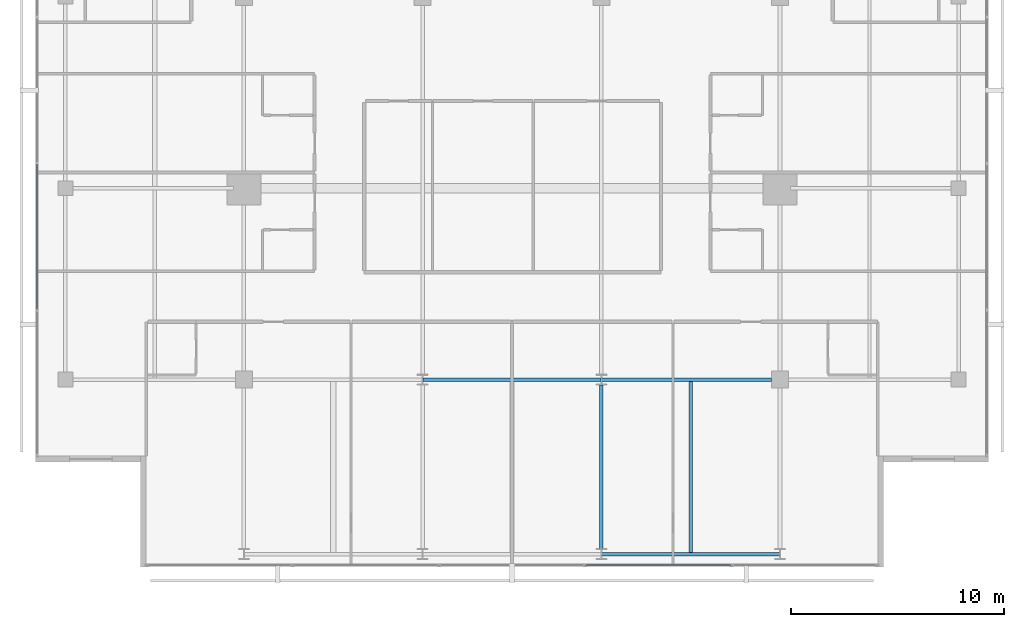
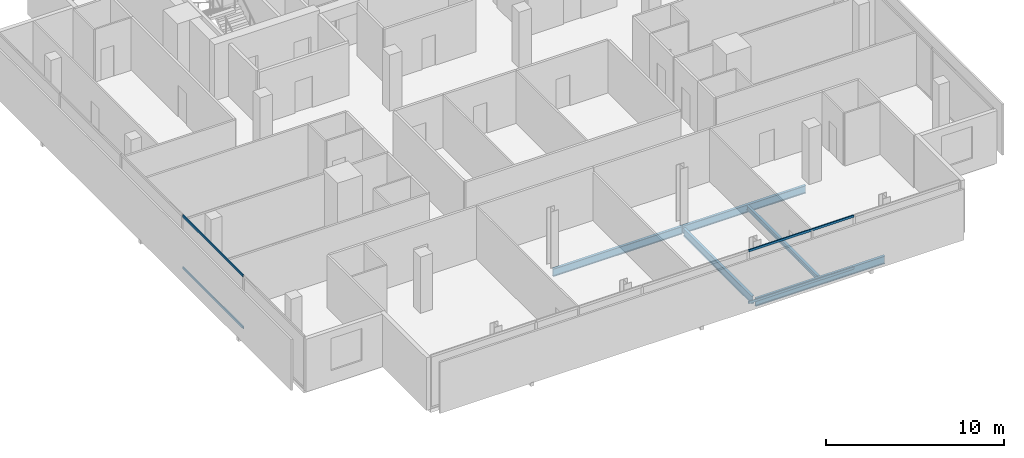
# One storey, part 7 of 25: 5 beams, 4 members, 2 elements without a shape of their own.
"""IFC4 building model written with IfcOpenShell, lengths in metres."""

from ifc_helpers import new_model, si_unit, direction, frame, origin, origin_2d, place, context, subcontext, project, spatial, hollow_rectangle, i_section, extrude, material, layer, layer_set, material_profile, profile_set, type_object, element, aggregate, save


model = new_model("IFC4")

# Units and contexts
model_context = context("Model", 3, precision=1e-05, world=origin(), true_north=direction((0.0, 1.0)))
body_context = subcontext(model_context, "Body", "Model", "MODEL_VIEW")
ifc_project = project(units=[si_unit("LENGTHUNIT", "METRE"), si_unit("AREAUNIT", "SQUARE_METRE"), si_unit("VOLUMEUNIT", "CUBIC_METRE"), si_unit("PLANEANGLEUNIT", "RADIAN"), si_unit("MASSUNIT", "GRAM", prefix="KILO")], contexts=[model_context])

# Site, building, storey
site_placement = place(None, origin())
site = spatial("IfcSite", under=ifc_project, at=site_placement, CompositionType="ELEMENT")
building_placement = place(site_placement, origin())
building = spatial("IfcBuilding", under=site, at=building_placement, Name="Maruvema Waterfront Hotel and Observation Tower", CompositionType="ELEMENT")
storey_placement = place(building_placement, frame((0.0, 0.0, 281.75)))
storey = spatial("IfcBuildingStorey", under=building, at=storey_placement, Name="L69", CompositionType="ELEMENT", Elevation=281.75)

# Curtain wall, members
ifc_material_1 = material(Name="Anodised bronze aluminium and solar-control low-E IGU", Category="aluminium")
ifc_layer = layer(ifc_material_1, 0.159912109375, Name="Zone 3 Champagne Inner Thermal Curtain Wall System CW-04")
ifc_layer_set = layer_set([ifc_layer], Name="Anodised bronze aluminium and solar-control low-E IGU")
curtain_wall_type = type_object("IfcCurtainWallType", Name="Zone 3 Champagne Inner Thermal Curtain Wall System CW-04", PredefinedType="USERDEFINED", material=ifc_layer_set)
curtain_wall_1_placement = place(storey_placement, origin())
curtain_wall_1 = element("IfcCurtainWall", 1, at=curtain_wall_1_placement, inside=storey, type_object=curtain_wall_type, Name="L69 Curtain Wall CW-L69-S", ObjectType="UNITISED CURTAIN WALL", PredefinedType="USERDEFINED")
ifc_material_2 = material(Name="Anodised architectural bronze aluminium", Category="aluminium")
ifc_material_profile_1 = material_profile(ifc_material_2, hollow_rectangle(XDim=0.070068359375, YDim=0.14990234375, WallThickness=0.00390625, at=origin_2d()), Name="ALU-T70x150")
ifc_profile_set_1 = profile_set([ifc_material_profile_1], Name="Anodised architectural bronze aluminium")
member_type = type_object("IfcMemberType", Name="Curtain Wall Horizontal Transom ALU-T70x150", PredefinedType="USERDEFINED", material=ifc_profile_set_1)
member_1_placement = place(storey_placement, frame((41.27001953125, 9.280029296875, 0.030029296875), z_axis=(1.0, 0.0, 0.0), x_axis=(0.0, 1.0, 0.0)))
member_1 = element("IfcMember", 2, at=member_1_placement, type_object=member_type, Name="CW-04 transom 4.1", ObjectType="TRANSOM", PredefinedType="USERDEFINED", context=body_context, shape_type="SweptSolid", body=[
    extrude(hollow_rectangle(XDim=0.070068359375, YDim=0.14990234375, WallThickness=0.00390625, at=origin_2d()), origin(), (0.0, 0.0, 1.0), 6.820068359375),
])
member_2_placement = place(storey_placement, frame((41.27001953125, 9.280029296875, 3.580078125), z_axis=(1.0, 0.0, 0.0), x_axis=(0.0, 1.0, 0.0)))
member_2 = element("IfcMember", 3, at=member_2_placement, type_object=member_type, Name="CW-04 transom 4.2", ObjectType="TRANSOM", PredefinedType="USERDEFINED", context=body_context, shape_type="SweptSolid", body=[
    extrude(hollow_rectangle(XDim=0.070068359375, YDim=0.14990234375, WallThickness=0.00390625, at=origin_2d()), origin(), (0.0, 0.0, 1.0), 6.820068359375),
])
aggregate(curtain_wall_1, [member_1, member_2])

curtain_wall_2_placement = place(storey_placement, origin())
curtain_wall_2 = element("IfcCurtainWall", 4, at=curtain_wall_2_placement, inside=storey, type_object=curtain_wall_type, Name="L69 Curtain Wall CW-L69-W", ObjectType="UNITISED CURTAIN WALL", PredefinedType="USERDEFINED")
member_3_placement = place(storey_placement, frame((15.47998046875, 28.1298828125, 0.030029296875), z_axis=(0.0, -1.0, 0.0), x_axis=(1.0, 0.0, 0.0)))
member_3 = element("IfcMember", 5, at=member_3_placement, type_object=member_type, Name="CW-04 transom 4.1", ObjectType="TRANSOM", PredefinedType="USERDEFINED", context=body_context, shape_type="SweptSolid", body=[
    extrude(hollow_rectangle(XDim=0.070068359375, YDim=0.14990234375, WallThickness=0.00390625, at=origin_2d()), origin(), (0.0, 0.0, 1.0), 6.81982421875),
])
member_4_placement = place(storey_placement, frame((15.47998046875, 28.1298828125, 3.580078125), z_axis=(0.0, -1.0, 0.0), x_axis=(1.0, 0.0, 0.0)))
member_4 = element("IfcMember", 6, at=member_4_placement, type_object=member_type, Name="CW-04 transom 4.2", ObjectType="TRANSOM", PredefinedType="USERDEFINED", context=body_context, shape_type="SweptSolid", body=[
    extrude(hollow_rectangle(XDim=0.070068359375, YDim=0.14990234375, WallThickness=0.00390625, at=origin_2d()), origin(), (0.0, 0.0, 1.0), 6.81982421875),
])
aggregate(curtain_wall_2, [member_3, member_4])

# Beams
ifc_material_3 = material(Name="Steel ASTM A572 Grade 50", Category="steel")
ifc_material_profile_2 = material_profile(ifc_material_3, i_section(OverallWidth=0.166015625, OverallDepth=0.529052734375, WebThickness=0.009765625, FlangeThickness=0.013671875, FilletRadius=0.014892578125, at=origin_2d()), Name="W530x74.0")
ifc_profile_set_2 = profile_set([ifc_material_profile_2], Name="Steel ASTM A572 Grade 50")
beam_type_1 = type_object("IfcBeamType", Name="Primary Floor Girder W530x74.0", PredefinedType="BEAM", material=ifc_profile_set_2)
for number, where, z_axis, x_axis, name in (
    (7, (42.010986328125, 9.800048828125, -0.50439453125), (1.0, 0.0, 0.0), (0.0, 1.0, 0.0), "L69 Floor Girder EW-03"),
    (8, (33.611083984375, 18.0, -0.50439453125), (1.0, 0.0, 0.0), (0.0, 1.0, 0.0), "L69 Floor Girder EW-06"),
):
    element("IfcBeam", number, at=place(storey_placement, frame(where, z_axis=z_axis, x_axis=x_axis)), inside=storey, type_object=beam_type_1, Name=name, PredefinedType="BEAM", context=body_context, shape_type="SweptSolid", body=[
        extrude(i_section(OverallWidth=0.166015625, OverallDepth=0.529052734375, WebThickness=0.009765625, FlangeThickness=0.013671875, FilletRadius=0.014892578125, at=origin_2d()), origin(), (0.0, 0.0, 1.0), 8.3779296875),
    ])
beam_1_placement = place(storey_placement, frame((42.010986328125, 18.0, -0.50439453125), z_axis=(1.0, 0.0, 0.0), x_axis=(0.0, 1.0, 0.0)))
element("IfcBeam", 9, at=beam_1_placement, inside=storey, type_object=beam_type_1, Name="L69 Floor Girder EW-07", PredefinedType="BEAM", context=body_context, shape_type="SweptSolid", body=[
    extrude(i_section(OverallWidth=0.166015625, OverallDepth=0.529052734375, WebThickness=0.009765625, FlangeThickness=0.013671875, FilletRadius=0.014892578125, at=origin_2d()), origin(), (0.0, 0.0, 1.0), 7.989013671875),
])
beam_2_placement = place(storey_placement, frame((42.0, 10.050048828125, -0.50439453125), z_axis=(0.0, 1.0, 0.0), x_axis=(-1.0, 0.0, 0.0)))
element("IfcBeam", 10, at=beam_2_placement, inside=storey, type_object=beam_type_1, Name="L69 Floor Girder NS-10", PredefinedType="BEAM", context=body_context, shape_type="SweptSolid", body=[
    extrude(i_section(OverallWidth=0.166015625, OverallDepth=0.529052734375, WebThickness=0.009765625, FlangeThickness=0.013671875, FilletRadius=0.014892578125, at=origin_2d()), origin(), (0.0, 0.0, 1.0), 7.699951171875),
])
ifc_material_4 = material(Name="Steel ASTM A572 Grade 50", Category="steel")
ifc_material_profile_3 = material_profile(ifc_material_4, i_section(OverallWidth=0.1650390625, OverallDepth=0.31005859375, WebThickness=0.005859375, FlangeThickness=0.009765625, FilletRadius=0.012939453125, at=origin_2d()), Name="W310x38.7")
ifc_profile_set_3 = profile_set([ifc_material_profile_3], Name="Steel ASTM A572 Grade 50")
beam_type_2 = type_object("IfcBeamType", Name="Secondary Floor Joist W310x38.7", PredefinedType="JOIST", material=ifc_profile_set_3)
beam_3_placement = place(storey_placement, frame((46.199951171875, 9.883056640625, -0.39501953125), z_axis=(0.0, 1.0, 0.0), x_axis=(-1.0, 0.0, 0.0)))
element("IfcBeam", 11, at=beam_3_placement, inside=storey, type_object=beam_type_2, Name="L69 Secondary Floor Joist JS-06", PredefinedType="JOIST", context=body_context, shape_type="SweptSolid", body=[
    extrude(i_section(OverallWidth=0.1650390625, OverallDepth=0.31005859375, WebThickness=0.005859375, FlangeThickness=0.009765625, FilletRadius=0.012939453125, at=origin_2d()), origin(), (0.0, 0.0, 1.0), 8.033935546875),
])

save(model, "model.ifc")
